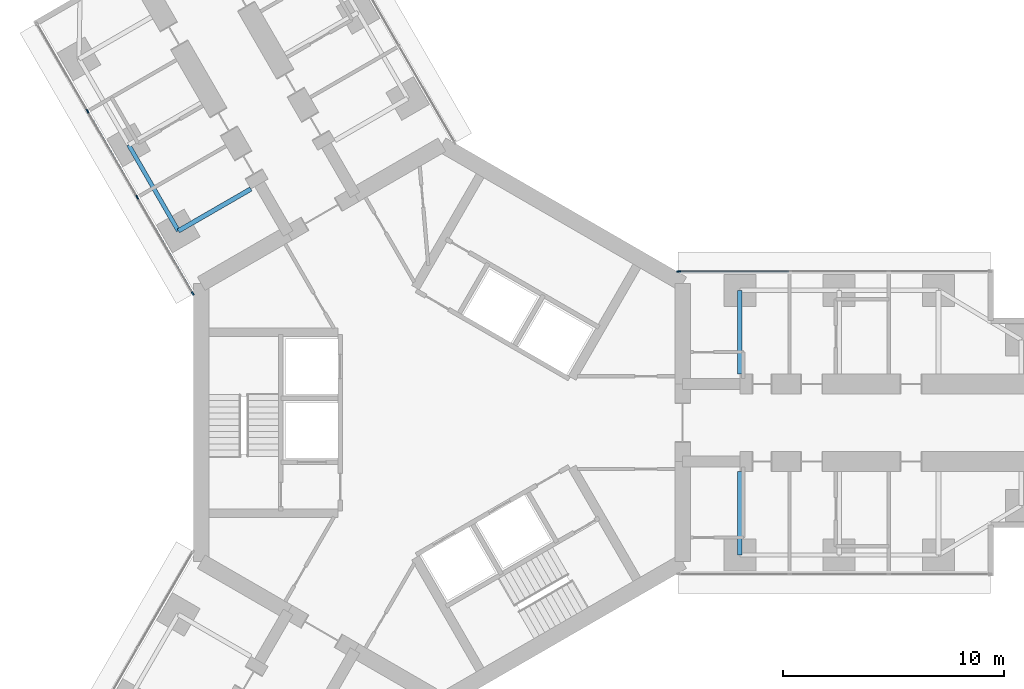
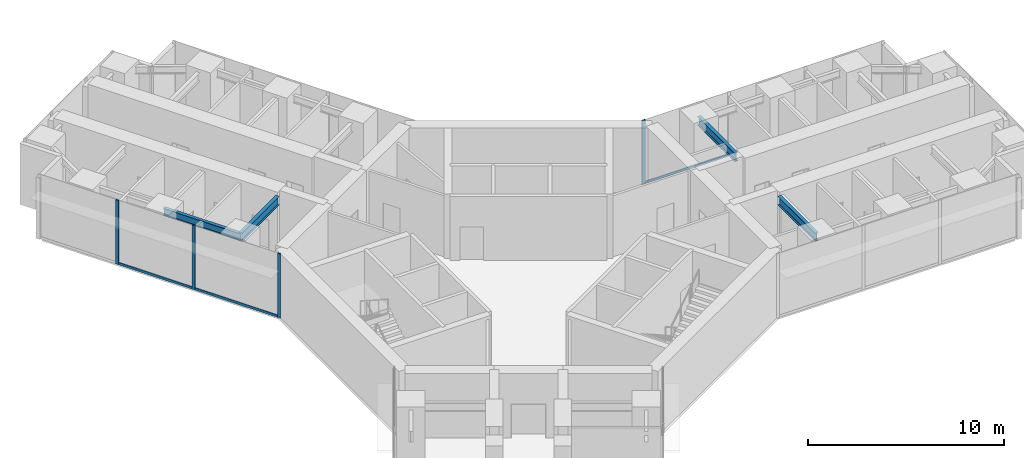
# One storey, part 6 of 24: 7 members, 4 beams, 2 elements without a shape of their own.
"""IFC4 building model written with IfcOpenShell, lengths in metres."""

from ifc_helpers import new_model, si_unit, direction, frame, origin, origin_2d, place, context, subcontext, project, spatial, rectangle, i_section, extrude, material, material_profile, profile_set, type_object, element, aggregate, save


model = new_model("IFC4")

# Units and contexts
model_context = context("Model", 3, precision=1e-05, world=origin(), true_north=direction((0.0, 1.0)))
body_context = subcontext(model_context, "Body", "Model", "MODEL_VIEW")
ifc_project = project(units=[si_unit("LENGTHUNIT", "METRE"), si_unit("AREAUNIT", "SQUARE_METRE"), si_unit("VOLUMEUNIT", "CUBIC_METRE"), si_unit("PLANEANGLEUNIT", "RADIAN"), si_unit("MASSUNIT", "GRAM", prefix="KILO")], contexts=[model_context])

# Site, building, storey
site_placement = place(None, origin())
site = spatial("IfcSite", under=ifc_project, at=site_placement, CompositionType="ELEMENT")
building_placement = place(site_placement, origin())
building = spatial("IfcBuilding", under=site, at=building_placement, Name="Upepo Twin Towers", CompositionType="ELEMENT")
storey_placement = place(building_placement, frame((0.0, 0.0, 64.5)))
storey = spatial("IfcBuildingStorey", under=building, at=storey_placement, Name="L15", CompositionType="ELEMENT", Elevation=64.5)

# Beams
ifc_material_1 = material(Name="Steel S355", Category="steel")
ifc_material_profile_1 = material_profile(ifc_material_1, i_section(OverallWidth=0.1904296875, OverallDepth=0.45703125, WebThickness=0.009033203125, FlangeThickness=0.014404296875, FilletRadius=0.01025390625, at=origin_2d()), Name="UB 457x191x74")
ifc_profile_set_1 = profile_set([ifc_material_profile_1], Name="Steel S355")
beam_type_1 = type_object("IfcBeamType", Name="Beam UB 457x191x74", PredefinedType="BEAM", material=ifc_profile_set_1)
beam_1_placement = place(storey_placement, frame((-11.946044921875, 8.69140625, 3.571533203125), z_axis=(-0.500013631625, 0.866017533419, 0.0), x_axis=(-0.866017533419, -0.500013631625, 0.0)))
element("IfcBeam", 1, at=beam_1_placement, inside=storey, type_object=beam_type_1, Name="T1 edge beam BL 13.5-18.0", PredefinedType="BEAM", context=body_context, shape_type="SweptSolid", body=[
    extrude(i_section(OverallWidth=0.1904296875, OverallDepth=0.45703125, WebThickness=0.009033203125, FlangeThickness=0.014404296875, FilletRadius=0.01025390625, at=origin_2d()), origin(), (0.0, 0.0, 1.0), 4.499755859375),
])
ifc_material_2 = material(Name="Steel S355", Category="steel")
ifc_material_profile_2 = material_profile(ifc_material_2, i_section(OverallWidth=0.209228515625, OverallDepth=0.533203125, WebThickness=0.010009765625, FlangeThickness=0.015625, FilletRadius=0.0126953125, at=origin_2d()), Name="UB 533x210x92")
ifc_profile_set_2 = profile_set([ifc_material_profile_2], Name="Steel S355")
beam_type_2 = type_object("IfcBeamType", Name="Beam UB 533x210x92", PredefinedType="BEAM", material=ifc_profile_set_2)
for number, where, z_axis, x_axis, name in (
    (2, (13.5, 6.0, 3.533447265625), (0.0, -1.0, 0.0), (1.0, 0.0, 0.0), "T1 girder AL at 13.5"),
    (3, (13.5, -6.0, 3.533447265625), (0.0, 1.0, 0.0), (-1.0, 0.0, 0.0), "T1 girder AR at 13.5"),
):
    element("IfcBeam", number, at=place(storey_placement, frame(where, z_axis=z_axis, x_axis=x_axis)), inside=storey, type_object=beam_type_2, Name=name, PredefinedType="BEAM", context=body_context, shape_type="SweptSolid", body=[
        extrude(i_section(OverallWidth=0.209228515625, OverallDepth=0.533203125, WebThickness=0.010009765625, FlangeThickness=0.015625, FilletRadius=0.0126953125, at=origin_2d()), origin(), (0.0, 0.0, 1.0), 3.800048828125),
    ])
beam_2_placement = place(storey_placement, frame((-11.946044921875, 8.69140625, 3.533447265625), z_axis=(0.866028304915, 0.499994975061, 0.0), x_axis=(-0.499994975061, 0.866028304915, 0.0)))
element("IfcBeam", 4, at=beam_2_placement, inside=storey, type_object=beam_type_2, Name="T1 girder BL at 13.5", PredefinedType="BEAM", context=body_context, shape_type="SweptSolid", body=[
    extrude(i_section(OverallWidth=0.209228515625, OverallDepth=0.533203125, WebThickness=0.010009765625, FlangeThickness=0.015625, FilletRadius=0.0126953125, at=origin_2d()), origin(), (0.0, 0.0, 1.0), 3.7998046875),
])

# Curtain wall, member
ifc_material_3 = material(Name="Aluminium and fritted glass", Category="aluminium")
curtain_wall_type = type_object("IfcCurtainWallType", Name="Tower curtain wall TW1, fritted glass", PredefinedType="NOTDEFINED", material=ifc_material_3)
curtain_wall_1_placement = place(storey_placement, origin())
curtain_wall_1 = element("IfcCurtainWall", 5, at=curtain_wall_1_placement, inside=storey, type_object=curtain_wall_type, Name="T1 L15 wing A flank L curtain wall", PredefinedType="NOTDEFINED")
ifc_material_4 = material(Name="Aluminium mullion", Category="aluminium")
ifc_material_profile_3 = material_profile(ifc_material_4, rectangle(XDim=0.06494140625, YDim=0.179931640625, at=origin_2d()), Name="MULLION 65x180")
ifc_profile_set_3 = profile_set([ifc_material_profile_3], Name="Aluminium mullion")
member_type_1 = type_object("IfcMemberType", Name="Mullion 65x180 TW1", PredefinedType="MULLION", material=ifc_profile_set_3)
member_1_placement = place(storey_placement, frame((10.7197265625, 6.85009765625, 0.0), z_axis=(0.0, 0.0, 1.0), x_axis=(0.0, 1.0, 0.0)))
member_1 = element("IfcMember", 6, at=member_1_placement, type_object=member_type_1, Name="T1 L15 wing A flank L curtain wall mullion 1", PredefinedType="MULLION", context=body_context, shape_type="SweptSolid", body=[
    extrude(rectangle(XDim=0.06494140625, YDim=0.179931640625, at=origin_2d()), origin(), (0.0, 0.0, 1.0), 4.0),
])

# Curtain wall, members
curtain_wall_2_placement = place(storey_placement, origin())
curtain_wall_2 = element("IfcCurtainWall", 7, at=curtain_wall_2_placement, inside=storey, type_object=curtain_wall_type, Name="T1 L15 wing B flank L curtain wall", PredefinedType="NOTDEFINED")
member_2_placement = place(storey_placement, frame((-11.2919921875, 5.8583984375, 0.0), z_axis=(0.0, 0.0, 1.0), x_axis=(-0.866025389682, -0.500000024426, 0.0)))
member_2 = element("IfcMember", 8, at=member_2_placement, type_object=member_type_1, Name="T1 L15 wing B flank L curtain wall mullion 1", PredefinedType="MULLION", context=body_context, shape_type="SweptSolid", body=[
    extrude(rectangle(XDim=0.06494140625, YDim=0.179931640625, at=origin_2d()), origin(), (0.0, 0.0, 1.0), 4.0),
])
member_3_placement = place(storey_placement, frame((-13.807373046875, 10.21484375, 0.0), z_axis=(0.0, 0.0, 1.0), x_axis=(-0.866025389682, -0.500000024426, 0.0)))
member_3 = element("IfcMember", 9, at=member_3_placement, type_object=member_type_1, Name="T1 L15 wing B flank L curtain wall mullion 2", PredefinedType="MULLION", context=body_context, shape_type="SweptSolid", body=[
    extrude(rectangle(XDim=0.06494140625, YDim=0.179931640625, at=origin_2d()), origin(), (0.0, 0.0, 1.0), 4.0),
])
member_4_placement = place(storey_placement, frame((-16.057373046875, 14.112060546875, 0.0), z_axis=(0.0, 0.0, 1.0), x_axis=(-0.866025389682, -0.500000024426, 0.0)))
member_4 = element("IfcMember", 10, at=member_4_placement, type_object=member_type_1, Name="T1 L15 wing B flank L curtain wall mullion 3", PredefinedType="MULLION", context=body_context, shape_type="SweptSolid", body=[
    extrude(rectangle(XDim=0.06494140625, YDim=0.179931640625, at=origin_2d()), origin(), (0.0, 0.0, 1.0), 4.0),
])

# Member
ifc_material_5 = material(Name="Aluminium transom", Category="aluminium")
ifc_material_profile_4 = material_profile(ifc_material_5, rectangle(XDim=0.06494140625, YDim=0.14990234375, at=origin_2d()), Name="TRANSOM 65x150")
ifc_profile_set_4 = profile_set([ifc_material_profile_4], Name="Aluminium transom")
member_type_2 = type_object("IfcMemberType", Name="Transom 65x150 TW1", PredefinedType="USERDEFINED", material=ifc_profile_set_4)
member_5_placement = place(storey_placement, frame((10.752197265625, 6.85009765625, 0.074951171875), z_axis=(1.0, 0.0, 0.0), x_axis=(0.0, 1.0, 0.0)))
member_5 = element("IfcMember", 11, at=member_5_placement, type_object=member_type_2, Name="T1 L15 wing A flank L curtain wall transom 1", ObjectType="TRANSOM", PredefinedType="USERDEFINED", context=body_context, shape_type="SweptSolid", body=[
    extrude(rectangle(XDim=0.06494140625, YDim=0.14990234375, at=origin_2d()), origin(), (0.0, 0.0, 1.0), 4.96533203125),
])

aggregate(curtain_wall_1, [member_1, member_5])

member_6_placement = place(storey_placement, frame((-11.308349609375, 5.88671875, 0.074951171875), z_axis=(-0.50000478328, 0.866022642139, 0.0), x_axis=(-0.866022642139, -0.50000478328, 0.0)))
member_6 = element("IfcMember", 12, at=member_6_placement, type_object=member_type_2, Name="T1 L15 wing B flank L curtain wall transom 1", ObjectType="TRANSOM", PredefinedType="USERDEFINED", context=body_context, shape_type="SweptSolid", body=[
    extrude(rectangle(XDim=0.06494140625, YDim=0.14990234375, at=origin_2d()), origin(), (0.0, 0.0, 1.0), 4.96533203125),
])

member_7_placement = place(storey_placement, frame((-13.823486328125, 10.2431640625, 0.074951171875), z_axis=(-0.500005184116, 0.866022410713, 0.0), x_axis=(-0.866022410713, -0.500005184116, 0.0)))
member_7 = element("IfcMember", 13, at=member_7_placement, type_object=member_type_2, Name="T1 L15 wing B flank L curtain wall transom 2", ObjectType="TRANSOM", PredefinedType="USERDEFINED", context=body_context, shape_type="SweptSolid", body=[
    extrude(rectangle(XDim=0.06494140625, YDim=0.14990234375, at=origin_2d()), origin(), (0.0, 0.0, 1.0), 4.43505859375),
])

aggregate(curtain_wall_2, [member_2, member_3, member_4, member_6, member_7])

save(model, "model.ifc")
